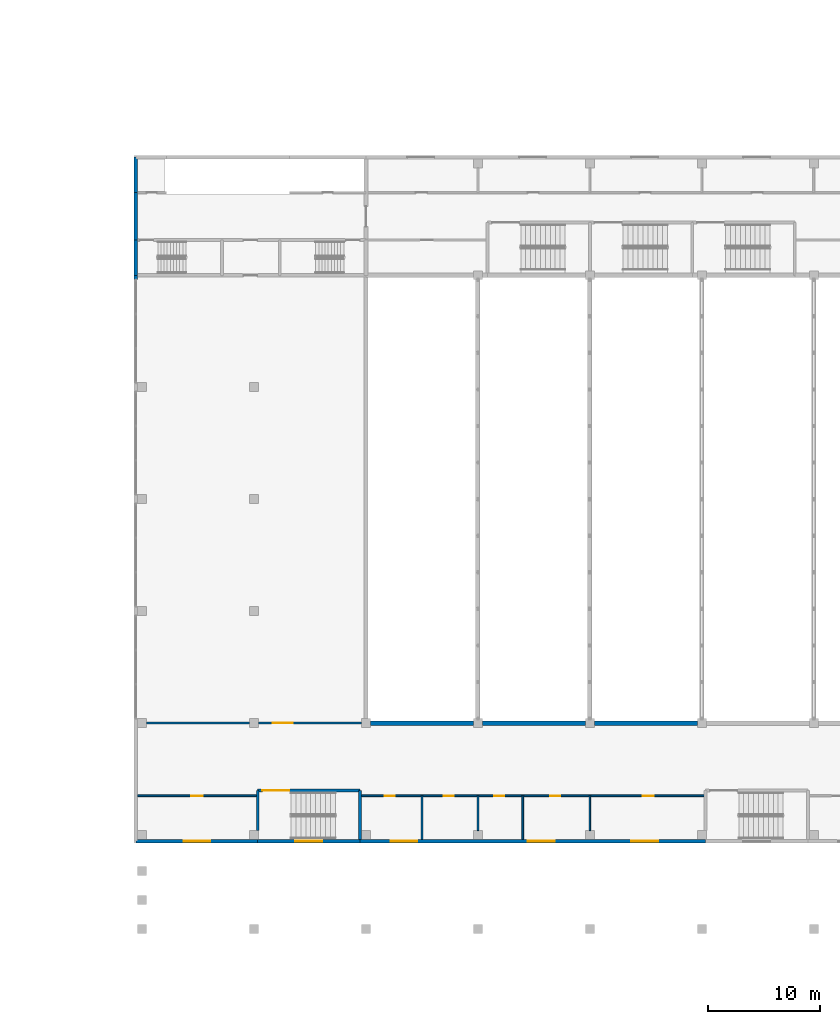
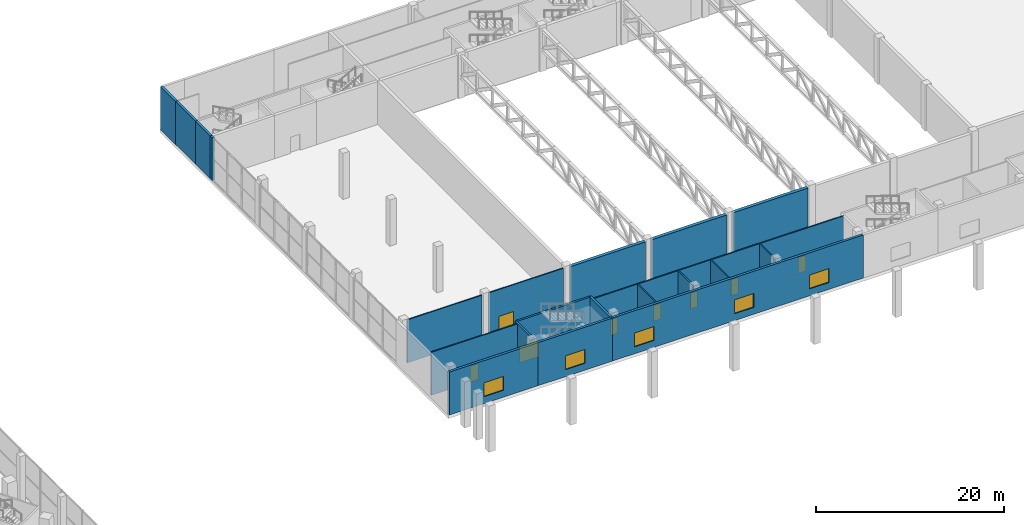
# One storey, part 31 of 51: 21 walls, 8 doors, 5 windows, 13 openings.
"""IFC4 building model written with IfcOpenShell, lengths in metres."""

from ifc_helpers import new_model, si_unit, direction, frame, frame_2d, origin, place, context, subcontext, project, spatial, rectangle, extrude, material, layer, layer_set, type_object, element, fill, save


model = new_model("IFC4")

# Units and contexts
model_context = context("Model", 3, precision=1e-05, world=origin(), true_north=direction((0.0, 1.0)))
body_context = subcontext(model_context, "Body", "Model", "MODEL_VIEW")
ifc_project = project(units=[si_unit("LENGTHUNIT", "METRE"), si_unit("AREAUNIT", "SQUARE_METRE"), si_unit("VOLUMEUNIT", "CUBIC_METRE"), si_unit("PLANEANGLEUNIT", "RADIAN"), si_unit("MASSUNIT", "GRAM", prefix="KILO")], contexts=[model_context])

# Site, building, storey
site_placement = place(None, origin())
site = spatial("IfcSite", under=ifc_project, at=site_placement, CompositionType="ELEMENT")
building_placement = place(site_placement, origin())
building = spatial("IfcBuilding", under=site, at=building_placement, Name="Jabali Bay Hotel Tower and Convention Centre", CompositionType="ELEMENT")
storey_placement = place(building_placement, frame((0.0, 0.0, 9.0)))
storey = spatial("IfcBuildingStorey", under=building, at=storey_placement, Name="L01", CompositionType="ELEMENT", Elevation=9.0)

# Walls
ifc_material_1 = material(Name="Concrete C40", Category="concrete")
ifc_layer_1 = layer(ifc_material_1, 0.300048828125)
ifc_layer_set_1 = layer_set([ifc_layer_1], Name="Concrete C40")
wall_type_1 = type_object("IfcWallType", Name="CC External Wall 300", PredefinedType="SOLIDWALL", material=ifc_layer_set_1)
wall_1_placement = place(storey_placement, frame((150.14990234375, 107.375, 0.0), z_axis=(0.0, 0.0, 1.0), x_axis=(0.0, 1.0, 0.0)))
element("IfcWall", 1, at=wall_1_placement, inside=storey, type_object=wall_type_1, Name="CC wall 156", PredefinedType="SOLIDWALL", context=body_context, shape_type="SweptSolid", body=[
    extrude(rectangle(XDim=3.175048828125, YDim=0.300048828125, at=frame_2d((1.58740234375, 0.0))), origin(), (0.0, 0.0, 1.0), 5.590087890625),
])
wall_2_placement = place(storey_placement, frame((150.14990234375, 99.60009765625, 0.0), z_axis=(0.0, 0.0, 1.0), x_axis=(0.0, 1.0, 0.0)))
element("IfcWall", 2, at=wall_2_placement, inside=storey, type_object=wall_type_1, Name="CC wall 274", PredefinedType="SOLIDWALL", context=body_context, shape_type="SweptSolid", body=[
    extrude(rectangle(XDim=0.39990234375, YDim=0.300048828125, at=frame_2d((0.199951171875, 0.0))), origin(), (0.0, 0.0, 1.0), 5.590087890625),
])
wall_3_placement = place(storey_placement, frame((150.14990234375, 100.0, 0.0), z_axis=(0.0, 0.0, 1.0), x_axis=(0.0, 1.0, 0.0)))
element("IfcWall", 3, at=wall_3_placement, inside=storey, type_object=wall_type_1, Name="CC wall 275", PredefinedType="SOLIDWALL", context=body_context, shape_type="SweptSolid", body=[
    extrude(rectangle(XDim=3.14990234375, YDim=0.300048828125, at=frame_2d((1.574951171875, 0.0))), origin(), (0.0, 0.0, 1.0), 5.590087890625),
])
wall_4_placement = place(storey_placement, frame((150.14990234375, 103.14990234375, 0.0), z_axis=(0.0, 0.0, 1.0), x_axis=(0.0, 1.0, 0.0)))
element("IfcWall", 4, at=wall_4_placement, inside=storey, type_object=wall_type_1, Name="CC wall 276", PredefinedType="SOLIDWALL", context=body_context, shape_type="SweptSolid", body=[
    extrude(rectangle(XDim=4.22509765625, YDim=0.300048828125, at=frame_2d((2.112548828125, 0.0))), origin(), (0.0, 0.0, 1.0), 5.590087890625),
])

# Wall, opening, window
wall_5_placement = place(storey_placement, frame((150.14990234375, 49.449951171875, 0.0), z_axis=(0.0, 0.0, 1.0), x_axis=(1.0, 0.0, 0.0)))
wall_5 = element("IfcWall", 5, at=wall_5_placement, inside=storey, type_object=wall_type_1, Name="CC wall 277", PredefinedType="SOLIDWALL", context=body_context, shape_type="SweptSolid", body=[
    extrude(rectangle(XDim=10.875, YDim=0.300048828125, at=frame_2d((5.4375, 0.0))), origin(), (0.0, 0.0, 1.0), 5.590087890625),
])
opening_1_placement = place(wall_5_placement, frame((4.25, 0.0, 0.89990234375)))
opening_1 = element("IfcOpeningElement", 6, at=opening_1_placement, cuts=wall_5, Name="Opening CC-W007", PredefinedType="OPENING", context=body_context, shape_type="SweptSolid", body=[
    extrude(rectangle(XDim=2.39990234375, YDim=1.800048828125, at=frame_2d((1.199951171875, 0.89990234375))), frame((0.0, 0.16064453125, 0.0), z_axis=(0.0, -1.0, 0.0), x_axis=(1.0, 0.0, 0.0)), (0.0, 0.0, 1.0), 0.321044921875),
])
ifc_material_2 = material(Name="Aluminium 6063-T5 and glass", Category="aluminium")
window_type = type_object("IfcWindowType", Name="CC Window 2400x1800", PartitioningType="DOUBLE_PANEL_VERTICAL", PredefinedType="WINDOW", material=ifc_material_2)
window_1_placement = place(opening_1_placement, origin())
window_1 = element("IfcWindow", 7, at=window_1_placement, inside=storey, type_object=window_type, Name="CC window CC-W007", OverallHeight=1.800048828125, OverallWidth=2.39990234375, PartitioningType="DOUBLE_PANEL_VERTICAL", PredefinedType="WINDOW", context=body_context, shape_type="SweptSolid", body=[
    extrude(rectangle(XDim=2.39990234375, YDim=1.800048828125, at=frame_2d((1.199951171875, 0.89990234375))), frame((0.0, 0.030029296875, 0.0), z_axis=(0.0, -1.0, 0.0), x_axis=(1.0, 0.0, 0.0)), (0.0, 0.0, 1.0), 0.06005859375),
])
fill(opening_1, window_1)

wall_6_placement = place(storey_placement, frame((161.02490234375, 49.449951171875, 0.0), z_axis=(0.0, 0.0, 1.0), x_axis=(1.0, 0.0, 0.0)))
wall_6 = element("IfcWall", 8, at=wall_6_placement, inside=storey, type_object=wall_type_1, Name="CC wall 278", PredefinedType="SOLIDWALL", context=body_context, shape_type="SweptSolid", body=[
    extrude(rectangle(XDim=9.150146484375, YDim=0.300048828125, at=frame_2d((4.5751953125, 0.0))), origin(), (0.0, 0.0, 1.0), 5.590087890625),
])
opening_2_placement = place(wall_6_placement, frame((3.375, 0.0, 0.89990234375)))
opening_2 = element("IfcOpeningElement", 9, at=opening_2_placement, cuts=wall_6, Name="Opening CC-W008", PredefinedType="OPENING", context=body_context, shape_type="SweptSolid", body=[
    extrude(rectangle(XDim=2.39990234375, YDim=1.800048828125, at=frame_2d((1.199951171875, 0.89990234375))), frame((0.0, 0.16064453125, 0.0), z_axis=(0.0, -1.0, 0.0), x_axis=(1.0, 0.0, 0.0)), (0.0, 0.0, 1.0), 0.321044921875),
])
window_2_placement = place(opening_2_placement, origin())
window_2 = element("IfcWindow", 10, at=window_2_placement, inside=storey, type_object=window_type, Name="CC window CC-W008", OverallHeight=1.800048828125, OverallWidth=2.39990234375, PartitioningType="DOUBLE_PANEL_VERTICAL", PredefinedType="WINDOW", context=body_context, shape_type="SweptSolid", body=[
    extrude(rectangle(XDim=2.39990234375, YDim=1.800048828125, at=frame_2d((1.199951171875, 0.89990234375))), frame((0.0, 0.030029296875, 0.0), z_axis=(0.0, -1.0, 0.0), x_axis=(1.0, 0.0, 0.0)), (0.0, 0.0, 1.0), 0.06005859375),
])
fill(opening_2, window_2)

# Wall, openings, windows
wall_7_placement = place(storey_placement, frame((170.175048828125, 49.449951171875, 0.0), z_axis=(0.0, 0.0, 1.0), x_axis=(1.0, 0.0, 0.0)))
wall_7 = element("IfcWall", 11, at=wall_7_placement, inside=storey, type_object=wall_type_1, Name="CC wall 279", PredefinedType="SOLIDWALL", context=body_context, shape_type="SweptSolid", body=[
    extrude(rectangle(XDim=30.849853515625, YDim=0.300048828125, at=frame_2d((15.4248046875, 0.0))), origin(), (0.0, 0.0, 1.0), 5.590087890625),
])
opening_3_placement = place(wall_7_placement, frame((2.72509765625, 0.0, 0.89990234375)))
opening_3 = element("IfcOpeningElement", 12, at=opening_3_placement, cuts=wall_7, Name="Opening CC-W009", PredefinedType="OPENING", context=body_context, shape_type="SweptSolid", body=[
    extrude(rectangle(XDim=2.39990234375, YDim=1.800048828125, at=frame_2d((1.199951171875, 0.89990234375))), frame((0.0, 0.16064453125, 0.0), z_axis=(0.0, -1.0, 0.0), x_axis=(1.0, 0.0, 0.0)), (0.0, 0.0, 1.0), 0.321044921875),
])
opening_4_placement = place(wall_7_placement, frame((14.97509765625, 0.0, 0.89990234375)))
opening_4 = element("IfcOpeningElement", 13, at=opening_4_placement, cuts=wall_7, Name="Opening CC-W010", PredefinedType="OPENING", context=body_context, shape_type="SweptSolid", body=[
    extrude(rectangle(XDim=2.39990234375, YDim=1.800048828125, at=frame_2d((1.199951171875, 0.89990234375))), frame((0.0, 0.16064453125, 0.0), z_axis=(0.0, -1.0, 0.0), x_axis=(1.0, 0.0, 0.0)), (0.0, 0.0, 1.0), 0.321044921875),
])
opening_5_placement = place(wall_7_placement, frame((24.22509765625, 0.0, 0.89990234375)))
opening_5 = element("IfcOpeningElement", 14, at=opening_5_placement, cuts=wall_7, Name="Opening CC-W011", PredefinedType="OPENING", context=body_context, shape_type="SweptSolid", body=[
    extrude(rectangle(XDim=2.39990234375, YDim=1.800048828125, at=frame_2d((1.199951171875, 0.89990234375))), frame((0.0, 0.16064453125, 0.0), z_axis=(0.0, -1.0, 0.0), x_axis=(1.0, 0.0, 0.0)), (0.0, 0.0, 1.0), 0.321044921875),
])
window_3_placement = place(opening_3_placement, origin())
window_3 = element("IfcWindow", 15, at=window_3_placement, inside=storey, type_object=window_type, Name="CC window CC-W009", OverallHeight=1.800048828125, OverallWidth=2.39990234375, PartitioningType="DOUBLE_PANEL_VERTICAL", PredefinedType="WINDOW", context=body_context, shape_type="SweptSolid", body=[
    extrude(rectangle(XDim=2.39990234375, YDim=1.800048828125, at=frame_2d((1.199951171875, 0.89990234375))), frame((0.0, 0.030029296875, 0.0), z_axis=(0.0, -1.0, 0.0), x_axis=(1.0, 0.0, 0.0)), (0.0, 0.0, 1.0), 0.06005859375),
])
fill(opening_3, window_3)
window_4_placement = place(opening_4_placement, origin())
window_4 = element("IfcWindow", 16, at=window_4_placement, inside=storey, type_object=window_type, Name="CC window CC-W010", OverallHeight=1.800048828125, OverallWidth=2.39990234375, PartitioningType="DOUBLE_PANEL_VERTICAL", PredefinedType="WINDOW", context=body_context, shape_type="SweptSolid", body=[
    extrude(rectangle(XDim=2.39990234375, YDim=1.800048828125, at=frame_2d((1.199951171875, 0.89990234375))), frame((0.0, 0.030029296875, 0.0), z_axis=(0.0, -1.0, 0.0), x_axis=(1.0, 0.0, 0.0)), (0.0, 0.0, 1.0), 0.06005859375),
])
fill(opening_4, window_4)
window_5_placement = place(opening_5_placement, origin())
window_5 = element("IfcWindow", 17, at=window_5_placement, inside=storey, type_object=window_type, Name="CC window CC-W011", OverallHeight=1.800048828125, OverallWidth=2.39990234375, PartitioningType="DOUBLE_PANEL_VERTICAL", PredefinedType="WINDOW", context=body_context, shape_type="SweptSolid", body=[
    extrude(rectangle(XDim=2.39990234375, YDim=1.800048828125, at=frame_2d((1.199951171875, 0.89990234375))), frame((0.0, 0.030029296875, 0.0), z_axis=(0.0, -1.0, 0.0), x_axis=(1.0, 0.0, 0.0)), (0.0, 0.0, 1.0), 0.06005859375),
])
fill(opening_5, window_5)

# Walls
ifc_layer_2 = layer(ifc_material_1, 0.39990234375)
ifc_layer_set_2 = layer_set([ifc_layer_2], Name="Concrete C40")
wall_type_2 = type_object("IfcWallType", Name="CC Hall Wall 400", PredefinedType="SHEAR", material=ifc_layer_set_2)
for number, where, z_axis, x_axis, name in (
    (18, (171.10009765625, 60.0, 0.0), (0.0, 0.0, 1.0), (1.0, 0.0, 0.0), "CC exhibition hall wall"),
    (19, (181.10009765625, 60.0, 0.0), (0.0, 0.0, 1.0), (1.0, 0.0, 0.0), "CC exhibition hall wall"),
    (20, (191.10009765625, 60.0, 0.0), (0.0, 0.0, 1.0), (1.0, 0.0, 0.0), "CC exhibition hall wall"),
):
    element("IfcWall", number, at=place(storey_placement, frame(where, z_axis=z_axis, x_axis=x_axis)), inside=storey, type_object=wall_type_2, Name=name, PredefinedType="SHEAR", context=body_context, shape_type="SweptSolid", body=[
        extrude(rectangle(XDim=9.199951171875, YDim=0.39990234375, at=frame_2d((4.60009765625, 0.0))), origin(), (0.0, 0.0, 1.0), 5.590087890625),
    ])
ifc_material_3 = material(Name="Blockwork M10", Category="masonry")
ifc_layer_3 = layer(ifc_material_3, 0.14990234375)
ifc_layer_set_3 = layer_set([ifc_layer_3], Name="Blockwork M10")
wall_type_3 = type_object("IfcWallType", Name="CC Partition 150", PredefinedType="PARTITIONING", material=ifc_layer_set_3)
wall_8_placement = place(storey_placement, frame((151.10009765625, 60.0, 0.0), z_axis=(0.0, 0.0, 1.0), x_axis=(1.0, 0.0, 0.0)))
element("IfcWall", 21, at=wall_8_placement, inside=storey, type_object=wall_type_3, Name="CC wall 380", PredefinedType="PARTITIONING", context=body_context, shape_type="SweptSolid", body=[
    extrude(rectangle(XDim=9.199951171875, YDim=0.14990234375, at=frame_2d((4.60009765625, 0.0))), origin(), (0.0, 0.0, 1.0), 5.590087890625),
])

# Wall, opening, door
wall_9_placement = place(storey_placement, frame((170.300048828125, 60.0, 0.0), z_axis=(0.0, 0.0, 1.0), x_axis=(-1.0, 0.0, 0.0)))
wall_9 = element("IfcWall", 22, at=wall_9_placement, inside=storey, type_object=wall_type_3, Name="CC wall 381", PredefinedType="PARTITIONING", context=body_context, shape_type="SweptSolid", body=[
    extrude(rectangle(XDim=9.199951171875, YDim=0.14990234375, at=frame_2d((4.60009765625, 0.0))), origin(), (0.0, 0.0, 1.0), 5.590087890625),
])
opening_6_placement = place(wall_9_placement, frame((6.14990234375, 0.0, 0.0)))
opening_6 = element("IfcOpeningElement", 23, at=opening_6_placement, cuts=wall_9, Name="Opening CC-D024", PredefinedType="OPENING", context=body_context, shape_type="SweptSolid", body=[
    extrude(rectangle(XDim=1.800048828125, YDim=2.10009765625, at=frame_2d((0.89990234375, 1.050048828125))), frame((0.0, 0.08544921875, 0.0), z_axis=(0.0, -1.0, 0.0), x_axis=(1.0, 0.0, 0.0)), (0.0, 0.0, 1.0), 0.1708984375),
])
ifc_material_4 = material(Name="Timber and steel door set", Category="steel")
door_type_1 = type_object("IfcDoorType", Name="CC Double Door 1800x2100", OperationType="NOTDEFINED", PredefinedType="DOOR", material=ifc_material_4)
door_1_placement = place(opening_6_placement, origin())
door_1 = element("IfcDoor", 24, at=door_1_placement, inside=storey, type_object=door_type_1, Name="CC door CC-D024", OperationType="DOUBLE_DOOR_SINGLE_SWING", OverallHeight=2.10009765625, OverallWidth=1.800048828125, PredefinedType="DOOR", context=body_context, shape_type="SweptSolid", body=[
    extrude(rectangle(XDim=1.800048828125, YDim=2.10009765625, at=frame_2d((0.89990234375, 1.050048828125))), frame((0.0, 0.02490234375, 0.0), z_axis=(0.0, -1.0, 0.0), x_axis=(1.0, 0.0, 0.0)), (0.0, 0.0, 1.0), 0.050048828125),
])
fill(opening_6, door_1)

wall_10_placement = place(storey_placement, frame((150.300048828125, 53.5, 0.0), z_axis=(0.0, 0.0, 1.0), x_axis=(1.0, 0.0, 0.0)))
wall_10 = element("IfcWall", 25, at=wall_10_placement, inside=storey, type_object=wall_type_3, Name="CC wall 382", PredefinedType="PARTITIONING", context=body_context, shape_type="SweptSolid", body=[
    extrude(rectangle(XDim=10.724853515625, YDim=0.14990234375, at=frame_2d((5.3623046875, 0.0))), origin(), (0.0, 0.0, 1.0), 5.590087890625),
])
opening_7_placement = place(wall_10_placement, frame((4.800048828125, 0.0, 0.0)))
opening_7 = element("IfcOpeningElement", 26, at=opening_7_placement, cuts=wall_10, Name="Opening CC-D018", PredefinedType="OPENING", context=body_context, shape_type="SweptSolid", body=[
    extrude(rectangle(XDim=1.0, YDim=2.10009765625, at=frame_2d((0.5, 1.050048828125))), frame((0.0, 0.08544921875, 0.0), z_axis=(0.0, -1.0, 0.0), x_axis=(1.0, 0.0, 0.0)), (0.0, 0.0, 1.0), 0.1708984375),
])
door_type_2 = type_object("IfcDoorType", Name="CC Single Door 1000x2100", OperationType="NOTDEFINED", PredefinedType="DOOR", material=ifc_material_4)
door_2_placement = place(opening_7_placement, origin())
door_2 = element("IfcDoor", 27, at=door_2_placement, inside=storey, type_object=door_type_2, Name="CC door CC-D018", OperationType="SINGLE_SWING_RIGHT", OverallHeight=2.10009765625, OverallWidth=1.0, PredefinedType="DOOR", context=body_context, shape_type="SweptSolid", body=[
    extrude(rectangle(XDim=1.0, YDim=2.10009765625, at=frame_2d((0.5, 1.050048828125))), frame((0.0, 0.02490234375, 0.0), z_axis=(0.0, -1.0, 0.0), x_axis=(1.0, 0.0, 0.0)), (0.0, 0.0, 1.0), 0.050048828125),
])
fill(opening_7, door_2)

# Wall, openings, doors
wall_11_placement = place(storey_placement, frame((170.175048828125, 53.5, 0.0), z_axis=(0.0, 0.0, 1.0), x_axis=(1.0, 0.0, 0.0)))
wall_11 = element("IfcWall", 28, at=wall_11_placement, inside=storey, type_object=wall_type_3, Name="CC wall 383", PredefinedType="PARTITIONING", context=body_context, shape_type="SweptSolid", body=[
    extrude(rectangle(XDim=30.849853515625, YDim=0.14990234375, at=frame_2d((15.4248046875, 0.0))), origin(), (0.0, 0.0, 1.0), 5.590087890625),
])
opening_8_placement = place(wall_11_placement, frame((11.97509765625, 0.0, 0.0)))
opening_8 = element("IfcOpeningElement", 29, at=opening_8_placement, cuts=wall_11, Name="Opening CC-D016", PredefinedType="OPENING", context=body_context, shape_type="SweptSolid", body=[
    extrude(rectangle(XDim=0.89990234375, YDim=2.10009765625, at=frame_2d((0.449951171875, 1.050048828125))), frame((0.0, 0.08544921875, 0.0), z_axis=(0.0, -1.0, 0.0), x_axis=(1.0, 0.0, 0.0)), (0.0, 0.0, 1.0), 0.1708984375),
])
opening_9_placement = place(wall_11_placement, frame((16.97509765625, 0.0, 0.0)))
opening_9 = element("IfcOpeningElement", 30, at=opening_9_placement, cuts=wall_11, Name="Opening CC-D017", PredefinedType="OPENING", context=body_context, shape_type="SweptSolid", body=[
    extrude(rectangle(XDim=0.89990234375, YDim=2.10009765625, at=frame_2d((0.449951171875, 1.050048828125))), frame((0.0, 0.08544921875, 0.0), z_axis=(0.0, -1.0, 0.0), x_axis=(1.0, 0.0, 0.0)), (0.0, 0.0, 1.0), 0.1708984375),
])
opening_10_placement = place(wall_11_placement, frame((25.22509765625, 0.0, 0.0)))
opening_10 = element("IfcOpeningElement", 31, at=opening_10_placement, cuts=wall_11, Name="Opening CC-D019", PredefinedType="OPENING", context=body_context, shape_type="SweptSolid", body=[
    extrude(rectangle(XDim=1.0, YDim=2.10009765625, at=frame_2d((0.5, 1.050048828125))), frame((0.0, 0.08544921875, 0.0), z_axis=(0.0, -1.0, 0.0), x_axis=(1.0, 0.0, 0.0)), (0.0, 0.0, 1.0), 0.1708984375),
])
opening_11_placement = place(wall_11_placement, frame((7.47509765625, 0.0, 0.0)))
opening_11 = element("IfcOpeningElement", 32, at=opening_11_placement, cuts=wall_11, Name="Opening CC-D021", PredefinedType="OPENING", context=body_context, shape_type="SweptSolid", body=[
    extrude(rectangle(XDim=0.89990234375, YDim=2.10009765625, at=frame_2d((0.449951171875, 1.050048828125))), frame((0.0, 0.08544921875, 0.0), z_axis=(0.0, -1.0, 0.0), x_axis=(1.0, 0.0, 0.0)), (0.0, 0.0, 1.0), 0.1708984375),
])
opening_12_placement = place(wall_11_placement, frame((2.199951171875, 0.0, 0.0)))
opening_12 = element("IfcOpeningElement", 33, at=opening_12_placement, cuts=wall_11, Name="Opening CC-D023", PredefinedType="OPENING", context=body_context, shape_type="SweptSolid", body=[
    extrude(rectangle(XDim=0.89990234375, YDim=2.10009765625, at=frame_2d((0.449951171875, 1.050048828125))), frame((0.0, 0.08544921875, 0.0), z_axis=(0.0, -1.0, 0.0), x_axis=(1.0, 0.0, 0.0)), (0.0, 0.0, 1.0), 0.1708984375),
])
door_type_3 = type_object("IfcDoorType", Name="CC Riser Door 900x2100", OperationType="NOTDEFINED", PredefinedType="DOOR", material=ifc_material_4)
door_3_placement = place(opening_9_placement, origin())
door_3 = element("IfcDoor", 34, at=door_3_placement, inside=storey, type_object=door_type_3, Name="CC door CC-D017", OperationType="SINGLE_SWING_LEFT", OverallHeight=2.10009765625, OverallWidth=0.89990234375, PredefinedType="DOOR", context=body_context, shape_type="SweptSolid", body=[
    extrude(rectangle(XDim=0.89990234375, YDim=2.10009765625, at=frame_2d((0.449951171875, 1.050048828125))), frame((0.0, 0.02490234375, 0.0), z_axis=(0.0, -1.0, 0.0), x_axis=(1.0, 0.0, 0.0)), (0.0, 0.0, 1.0), 0.050048828125),
])
fill(opening_9, door_3)
door_4_placement = place(opening_10_placement, origin())
door_4 = element("IfcDoor", 35, at=door_4_placement, inside=storey, type_object=door_type_2, Name="CC door CC-D019", OperationType="SINGLE_SWING_LEFT", OverallHeight=2.10009765625, OverallWidth=1.0, PredefinedType="DOOR", context=body_context, shape_type="SweptSolid", body=[
    extrude(rectangle(XDim=1.0, YDim=2.10009765625, at=frame_2d((0.5, 1.050048828125))), frame((0.0, 0.02490234375, 0.0), z_axis=(0.0, -1.0, 0.0), x_axis=(1.0, 0.0, 0.0)), (0.0, 0.0, 1.0), 0.050048828125),
])
fill(opening_10, door_4)
door_type_4 = type_object("IfcDoorType", Name="CC Single Door 900x2100", OperationType="NOTDEFINED", PredefinedType="DOOR", material=ifc_material_4)
door_5_placement = place(opening_8_placement, origin())
door_5 = element("IfcDoor", 36, at=door_5_placement, inside=storey, type_object=door_type_4, Name="CC door CC-D016", OperationType="SINGLE_SWING_RIGHT", OverallHeight=2.10009765625, OverallWidth=0.89990234375, PredefinedType="DOOR", context=body_context, shape_type="SweptSolid", body=[
    extrude(rectangle(XDim=0.89990234375, YDim=2.10009765625, at=frame_2d((0.449951171875, 1.050048828125))), frame((0.0, 0.02490234375, 0.0), z_axis=(0.0, -1.0, 0.0), x_axis=(1.0, 0.0, 0.0)), (0.0, 0.0, 1.0), 0.050048828125),
])
fill(opening_8, door_5)
door_6_placement = place(opening_11_placement, origin())
door_6 = element("IfcDoor", 37, at=door_6_placement, inside=storey, type_object=door_type_4, Name="CC door CC-D021", OperationType="SINGLE_SWING_LEFT", OverallHeight=2.10009765625, OverallWidth=0.89990234375, PredefinedType="DOOR", context=body_context, shape_type="SweptSolid", body=[
    extrude(rectangle(XDim=0.89990234375, YDim=2.10009765625, at=frame_2d((0.449951171875, 1.050048828125))), frame((0.0, 0.02490234375, 0.0), z_axis=(0.0, -1.0, 0.0), x_axis=(1.0, 0.0, 0.0)), (0.0, 0.0, 1.0), 0.050048828125),
])
fill(opening_11, door_6)
door_7_placement = place(opening_12_placement, origin())
door_7 = element("IfcDoor", 38, at=door_7_placement, inside=storey, type_object=door_type_4, Name="CC door CC-D023", OperationType="SINGLE_SWING_LEFT", OverallHeight=2.10009765625, OverallWidth=0.89990234375, PredefinedType="DOOR", context=body_context, shape_type="SweptSolid", body=[
    extrude(rectangle(XDim=0.89990234375, YDim=2.10009765625, at=frame_2d((0.449951171875, 1.050048828125))), frame((0.0, 0.02490234375, 0.0), z_axis=(0.0, -1.0, 0.0), x_axis=(1.0, 0.0, 0.0)), (0.0, 0.0, 1.0), 0.050048828125),
])
fill(opening_12, door_7)

# Walls
wall_12_placement = place(storey_placement, frame((175.699951171875, 49.60009765625, 0.0), z_axis=(0.0, 0.0, 1.0), x_axis=(0.0, 1.0, 0.0)))
element("IfcWall", 39, at=wall_12_placement, inside=storey, type_object=wall_type_3, Name="CC wall 393", PredefinedType="PARTITIONING", context=body_context, shape_type="SweptSolid", body=[
    extrude(rectangle(XDim=3.89990234375, YDim=0.14990234375, at=frame_2d((1.949951171875, 0.0))), origin(), (0.0, 0.0, 1.0), 5.590087890625),
])
wall_13_placement = place(storey_placement, frame((180.699951171875, 50.39990234375, 0.0), z_axis=(0.0, 0.0, 1.0), x_axis=(0.0, 1.0, 0.0)))
element("IfcWall", 40, at=wall_13_placement, inside=storey, type_object=wall_type_3, Name="CC wall 394", PredefinedType="PARTITIONING", context=body_context, shape_type="SweptSolid", body=[
    extrude(rectangle(XDim=3.10009765625, YDim=0.14990234375, at=frame_2d((1.550048828125, 0.0))), origin(), (0.0, 0.0, 1.0), 5.590087890625),
])
wall_14_placement = place(storey_placement, frame((184.699951171875, 49.60009765625, 0.0), z_axis=(0.0, 0.0, 1.0), x_axis=(0.0, 1.0, 0.0)))
element("IfcWall", 41, at=wall_14_placement, inside=storey, type_object=wall_type_3, Name="CC wall 395", PredefinedType="PARTITIONING", context=body_context, shape_type="SweptSolid", body=[
    extrude(rectangle(XDim=3.89990234375, YDim=0.14990234375, at=frame_2d((1.949951171875, 0.0))), origin(), (0.0, 0.0, 1.0), 5.590087890625),
])
wall_15_placement = place(storey_placement, frame((190.699951171875, 50.39990234375, 0.0), z_axis=(0.0, 0.0, 1.0), x_axis=(0.0, 1.0, 0.0)))
element("IfcWall", 42, at=wall_15_placement, inside=storey, type_object=wall_type_3, Name="CC wall 396", PredefinedType="PARTITIONING", context=body_context, shape_type="SweptSolid", body=[
    extrude(rectangle(XDim=3.10009765625, YDim=0.14990234375, at=frame_2d((1.550048828125, 0.0))), origin(), (0.0, 0.0, 1.0), 5.590087890625),
])

# Wall, opening, door
ifc_layer_4 = layer(ifc_material_1, 0.25)
ifc_layer_set_4 = layer_set([ifc_layer_4], Name="Concrete C40")
wall_type_4 = type_object("IfcWallType", Name="CC Shaft Wall 250", PredefinedType="SHEAR", material=ifc_layer_set_4)
wall_16_placement = place(storey_placement, frame((161.02490234375, 53.97509765625, 0.0), z_axis=(0.0, 0.0, 1.0), x_axis=(1.0, 0.0, 0.0)))
wall_16 = element("IfcWall", 43, at=wall_16_placement, inside=storey, type_object=wall_type_4, Name="CC wall 385", PredefinedType="SHEAR", context=body_context, shape_type="SweptSolid", body=[
    extrude(rectangle(XDim=9.150146484375, YDim=0.25, at=frame_2d((4.5751953125, 0.0))), origin(), (0.0, 0.0, 1.0), 5.590087890625),
])
opening_13_placement = place(wall_16_placement, frame((0.425048828125, 0.0, 0.0)))
opening_13 = element("IfcOpeningElement", 44, at=opening_13_placement, cuts=wall_16, Name="Opening CC-D214", PredefinedType="OPENING", context=body_context, shape_type="SweptSolid", body=[
    extrude(rectangle(XDim=2.39990234375, YDim=2.10009765625, at=frame_2d((1.199951171875, 1.050048828125))), frame((0.0, 0.135498046875, 0.0), z_axis=(0.0, -1.0, 0.0), x_axis=(1.0, 0.0, 0.0)), (0.0, 0.0, 1.0), 0.27099609375),
])
door_type_5 = type_object("IfcDoorType", Name="CC Stair Door Pair 2400x2100", OperationType="NOTDEFINED", PredefinedType="DOOR", material=ifc_material_4)
door_8_placement = place(opening_13_placement, origin())
door_8 = element("IfcDoor", 45, at=door_8_placement, inside=storey, type_object=door_type_5, Name="CC door CC-D214", OperationType="DOUBLE_DOOR_SINGLE_SWING", OverallHeight=2.10009765625, OverallWidth=2.39990234375, PredefinedType="DOOR", context=body_context, shape_type="SweptSolid", body=[
    extrude(rectangle(XDim=2.39990234375, YDim=2.10009765625, at=frame_2d((1.199951171875, 1.050048828125))), frame((0.0, 0.02490234375, 0.0), z_axis=(0.0, -1.0, 0.0), x_axis=(1.0, 0.0, 0.0)), (0.0, 0.0, 1.0), 0.050048828125),
])
fill(opening_13, door_8)

# Walls
wall_17_placement = place(storey_placement, frame((161.02490234375, 50.39990234375, 0.0), z_axis=(0.0, 0.0, 1.0), x_axis=(0.0, 1.0, 0.0)))
element("IfcWall", 46, at=wall_17_placement, inside=storey, type_object=wall_type_4, Name="CC wall 386", PredefinedType="SHEAR", context=body_context, shape_type="SweptSolid", body=[
    extrude(rectangle(XDim=3.5751953125, YDim=0.25, at=frame_2d((1.78759765625, 0.0))), origin(), (0.0, 0.0, 1.0), 5.590087890625),
])
wall_18_placement = place(storey_placement, frame((170.175048828125, 49.60009765625, 0.0), z_axis=(0.0, 0.0, 1.0), x_axis=(0.0, 1.0, 0.0)))
element("IfcWall", 47, at=wall_18_placement, inside=storey, type_object=wall_type_4, Name="CC wall 387", PredefinedType="SHEAR", context=body_context, shape_type="SweptSolid", body=[
    extrude(rectangle(XDim=4.375, YDim=0.25, at=frame_2d((2.1875, 0.0))), origin(), (0.0, 0.0, 1.0), 5.590087890625),
])

save(model, "model.ifc")
